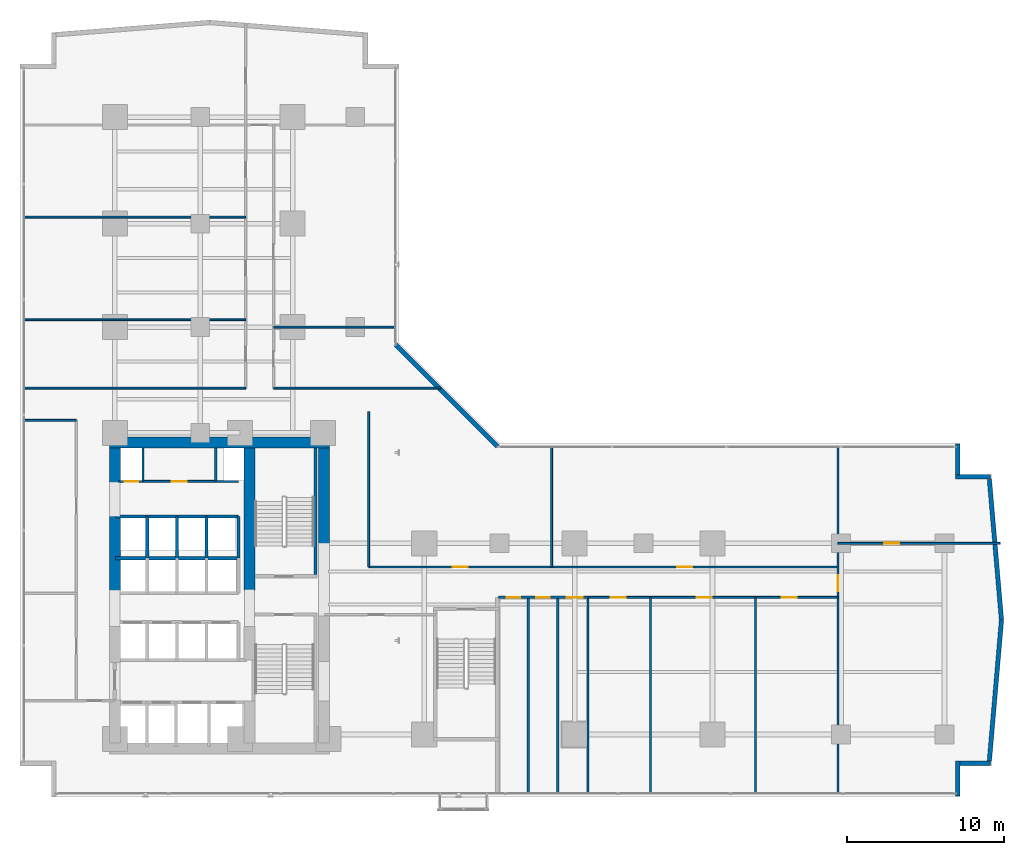
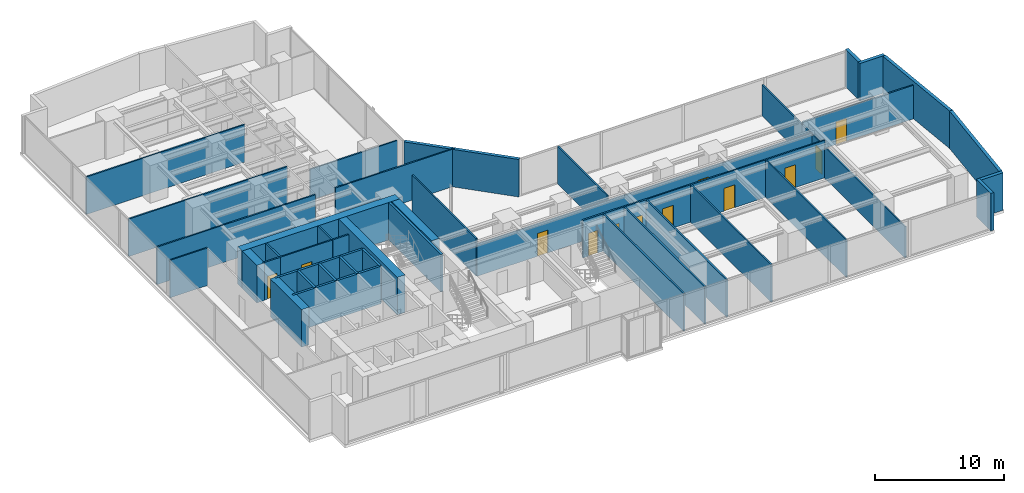
# One storey, part 23 of 27: 42 walls, 12 doors, 12 openings.
"""IFC4 building model written with IfcOpenShell, lengths in metres."""

from ifc_helpers import new_model, si_unit, direction, frame, frame_2d, origin, place, context, subcontext, project, spatial, rectangle, extrude, material, layer, layer_set, type_object, element, fill, save


model = new_model("IFC4")

# Units and contexts
model_context = context("Model", 3, precision=1e-05, world=origin(), true_north=direction((0.0, 1.0)))
body_context = subcontext(model_context, "Body", "Model", "MODEL_VIEW")
ifc_project = project(units=[si_unit("LENGTHUNIT", "METRE"), si_unit("AREAUNIT", "SQUARE_METRE"), si_unit("VOLUMEUNIT", "CUBIC_METRE"), si_unit("PLANEANGLEUNIT", "RADIAN"), si_unit("MASSUNIT", "GRAM", prefix="KILO")], contexts=[model_context])

# Site, building, storey
site_placement = place(None, origin())
site = spatial("IfcSite", under=ifc_project, at=site_placement, CompositionType="ELEMENT")
building_placement = place(site_placement, origin())
building = spatial("IfcBuilding", under=site, at=building_placement, Name="Kolvaren Waterfront Exchange", CompositionType="ELEMENT")
storey_placement = place(building_placement, frame((0.0, 0.0, 63.800048828125)))
storey = spatial("IfcBuildingStorey", under=building, at=storey_placement, Name="L16", CompositionType="ELEMENT", Elevation=63.800048828125)

# Walls
ifc_material_1 = material(Name="Precast concrete C40/50", Category="concrete")
ifc_layer_1 = layer(ifc_material_1, 0.280029296875, Name="Precast concrete C40/50")
ifc_layer_set_1 = layer_set([ifc_layer_1], Name="Precast concrete C40/50")
wall_type_1 = type_object("IfcWallType", Name="ARC-EXT-TERR-280", PredefinedType="SOLIDWALL", material=ifc_layer_set_1)
wall_1_placement = place(storey_placement, frame((61.239990234375, 1.260009765625, 0.0), z_axis=(0.0, 0.0, 1.0), x_axis=(0.0, 1.0, 0.0)))
element("IfcWall", 1, at=wall_1_placement, inside=storey, type_object=wall_type_1, Name="L16 notched corner spandrel pier SE-A", PredefinedType="SOLIDWALL", context=body_context, shape_type="SweptSolid", body=[
    extrude(rectangle(XDim=2.239990234375, YDim=0.280029296875, at=frame_2d((1.1201171875, 0.0))), origin(), (0.0, 0.0, 1.0), 3.5400390625),
])
wall_2_placement = place(storey_placement, frame((61.3798828125, 3.360107421875, 0.0), z_axis=(0.0, 0.0, 1.0), x_axis=(1.0, 0.0, 0.0)))
element("IfcWall", 2, at=wall_2_placement, inside=storey, type_object=wall_type_1, Name="L16 notched corner spandrel pier SE-B", PredefinedType="SOLIDWALL", context=body_context, shape_type="SweptSolid", body=[
    extrude(rectangle(XDim=1.960205078125, YDim=0.280029296875, at=frame_2d((0.97998046875, 0.0))), origin(), (0.0, 0.0, 1.0), 3.5400390625),
])
wall_3_placement = place(storey_placement, frame((61.239990234375, 21.764892578125, 0.0), z_axis=(0.0, 0.0, 1.0), x_axis=(0.0, 1.0, 0.0)))
element("IfcWall", 3, at=wall_3_placement, inside=storey, type_object=wall_type_1, Name="L16 notched corner spandrel pier ENE-A", PredefinedType="SOLIDWALL", context=body_context, shape_type="SweptSolid", body=[
    extrude(rectangle(XDim=1.97509765625, YDim=0.280029296875, at=frame_2d((0.987548828125, 0.0))), origin(), (0.0, 0.0, 1.0), 3.5400390625),
])
wall_4_placement = place(storey_placement, frame((61.10009765625, 21.639892578125, 0.0), z_axis=(0.0, 0.0, 1.0), x_axis=(1.0, 0.0, 0.0)))
element("IfcWall", 4, at=wall_4_placement, inside=storey, type_object=wall_type_1, Name="L16 notched corner spandrel pier ENE-B", PredefinedType="SOLIDWALL", context=body_context, shape_type="SweptSolid", body=[
    extrude(rectangle(XDim=2.239990234375, YDim=0.280029296875, at=frame_2d((1.1201171875, 0.0))), origin(), (0.0, 0.0, 1.0), 3.5400390625),
])
wall_5_placement = place(storey_placement, frame((31.885009765625, 23.574951171875, 0.0), z_axis=(0.0, 0.0, 1.0), x_axis=(-0.707106781187, 0.707106781187, 0.0)))
element("IfcWall", 5, at=wall_5_placement, inside=storey, type_object=wall_type_1, Name="L16 notched corner spandrel pier ELBOW", PredefinedType="SOLIDWALL", context=body_context, shape_type="SweptSolid", body=[
    extrude(rectangle(XDim=9.20654296875, YDim=0.280029296875, at=frame_2d((4.603271484375, 0.0))), origin(), (0.0, 0.0, 1.0), 3.5400390625),
])
for number, where, z_axis, x_axis, name in (
    (6, (63.266357421875, 3.5126953125, 0.0), (0.0, 0.0, 1.0), (0.085692274626, 0.996321651912, 0.0), "L16 east prow faceted facade wall 1"),
    (7, (64.038818359375, 12.506103515625, 0.0), (0.0, 0.0, 1.0), (-0.085692274626, 0.996321651912, 0.0), "L16 east prow faceted facade wall 2"),
):
    element("IfcWall", number, at=place(storey_placement, frame(where, z_axis=z_axis, x_axis=x_axis)), inside=storey, type_object=wall_type_1, Name=name, PredefinedType="SOLIDWALL", context=body_context, shape_type="SweptSolid", body=[
        extrude(rectangle(XDim=9.014404296875, YDim=0.280029296875, at=frame_2d((4.50732421875, 0.0))), origin(), (0.0, 0.0, 1.0), 3.5400390625),
    ])

# Wall, opening, door
ifc_material_2 = material(Name="Acoustic gypsum steel stud", Category="steel")
ifc_layer_2 = layer(ifc_material_2, 0.125, Name="Acoustic gypsum steel stud")
ifc_layer_set_2 = layer_set([ifc_layer_2], Name="Acoustic gypsum steel stud")
wall_type_2 = type_object("IfcWallType", Name="ARC-PART-125", PredefinedType="PARTITIONING", material=ifc_layer_set_2)
wall_6_placement = place(storey_placement, frame((9.25, 21.35009765625, 0.0), z_axis=(0.0, 0.0, 1.0), x_axis=(1.0, 0.0, 0.0)))
wall_6 = element("IfcWall", 8, at=wall_6_placement, inside=storey, type_object=wall_type_2, Name="L16 interior wall PW-L16-SVC-EX-S", PredefinedType="PARTITIONING", context=body_context, shape_type="SweptSolid", body=[
    extrude(rectangle(XDim=4.64990234375, YDim=0.125, at=frame_2d((2.324951171875, 0.0))), origin(), (0.0, 0.0, 1.0), 3.5400390625),
])
opening_1_placement = place(wall_6_placement, frame((1.85009765625, 0.0, 0.0)))
opening_1 = element("IfcOpeningElement", 9, at=opening_1_placement, cuts=wall_6, Name="Opening D02", PredefinedType="OPENING", context=body_context, shape_type="SweptSolid", body=[
    extrude(rectangle(XDim=0.949951171875, YDim=2.14990234375, at=frame_2d((0.47509765625, 1.074951171875))), frame((0.0, 0.072509765625, 0.0), z_axis=(0.0, -1.0, 0.0), x_axis=(1.0, 0.0, 0.0)), (0.0, 0.0, 1.0), 0.14501953125),
])
ifc_material_3 = material(Name="Oak veneer acoustic timber", Category="wood")
door_type_1 = type_object("IfcDoorType", Name="ARC-DR-950", OperationType="NOTDEFINED", PredefinedType="DOOR", material=ifc_material_3)
door_1_placement = place(opening_1_placement, origin())
door_1 = element("IfcDoor", 10, at=door_1_placement, inside=storey, type_object=door_type_1, Name="L16 door DR-L16-SVC-DR-1 (D02)", OperationType="SINGLE_SWING_LEFT", OverallHeight=2.14990234375, OverallWidth=0.949951171875, PredefinedType="DOOR", context=body_context, shape_type="SweptSolid", body=[
    extrude(rectangle(XDim=0.949951171875, YDim=2.14990234375, at=frame_2d((0.47509765625, 1.074951171875))), frame((0.0, 0.02490234375, 0.0), z_axis=(0.0, -1.0, 0.0), x_axis=(1.0, 0.0, 0.0)), (0.0, 0.0, 1.0), 0.050048828125),
])
fill(opening_1, door_1)

# Wall
wall_7_placement = place(storey_placement, frame((1.639892578125, 25.25, 0.0), z_axis=(0.0, 0.0, 1.0), x_axis=(1.0, 0.0, 0.0)))
element("IfcWall", 11, at=wall_7_placement, inside=storey, type_object=wall_type_2, Name="L16 interior wall PW-L16-WFLANK-N", PredefinedType="PARTITIONING", context=body_context, shape_type="SweptSolid", body=[
    extrude(rectangle(XDim=3.360107421875, YDim=0.125, at=frame_2d((1.68017578125, 0.0))), origin(), (0.0, 0.0, 1.0), 3.5400390625),
])

# Wall, openings, doors
wall_8_placement = place(storey_placement, frame((37.64990234375, 13.949951171875, 0.0), z_axis=(0.0, 0.0, 1.0), x_axis=(1.0, 0.0, 0.0)))
wall_8 = element("IfcWall", 12, at=wall_8_placement, inside=storey, type_object=wall_type_2, Name="L16 interior wall PW-L16-ES-CORR", PredefinedType="PARTITIONING", context=body_context, shape_type="SweptSolid", body=[
    extrude(rectangle(XDim=15.9501953125, YDim=0.125, at=frame_2d((7.97509765625, 0.0))), origin(), (0.0, 0.0, 1.0), 3.5400390625),
])
opening_2_placement = place(wall_8_placement, frame((1.4453125, 0.0, 0.0)))
opening_2 = element("IfcOpeningElement", 13, at=opening_2_placement, cuts=wall_8, Name="Opening D02", PredefinedType="OPENING", context=body_context, shape_type="SweptSolid", body=[
    extrude(rectangle(XDim=0.949951171875, YDim=2.14990234375, at=frame_2d((0.47509765625, 1.074951171875))), frame((0.0, 0.072509765625, 0.0), z_axis=(0.0, -1.0, 0.0), x_axis=(1.0, 0.0, 0.0)), (0.0, 0.0, 1.0), 0.14501953125),
])
opening_3_placement = place(wall_8_placement, frame((6.935791015625, 0.0, 0.0)))
opening_3 = element("IfcOpeningElement", 14, at=opening_3_placement, cuts=wall_8, Name="Opening D02", PredefinedType="OPENING", context=body_context, shape_type="SweptSolid", body=[
    extrude(rectangle(XDim=0.949951171875, YDim=2.14990234375, at=frame_2d((0.47509765625, 1.074951171875))), frame((0.0, 0.072509765625, 0.0), z_axis=(0.0, -1.0, 0.0), x_axis=(1.0, 0.0, 0.0)), (0.0, 0.0, 1.0), 0.14501953125),
])
opening_4_placement = place(wall_8_placement, frame((12.3701171875, 0.0, 0.0)))
opening_4 = element("IfcOpeningElement", 15, at=opening_4_placement, cuts=wall_8, Name="Opening D02", PredefinedType="OPENING", context=body_context, shape_type="SweptSolid", body=[
    extrude(rectangle(XDim=0.949951171875, YDim=2.14990234375, at=frame_2d((0.47509765625, 1.074951171875))), frame((0.0, 0.072509765625, 0.0), z_axis=(0.0, -1.0, 0.0), x_axis=(1.0, 0.0, 0.0)), (0.0, 0.0, 1.0), 0.14501953125),
])
door_2_placement = place(opening_2_placement, origin())
door_2 = element("IfcDoor", 16, at=door_2_placement, inside=storey, type_object=door_type_1, Name="L16 door DR-L16-ES-D-1 (D02)", OperationType="SINGLE_SWING_LEFT", OverallHeight=2.14990234375, OverallWidth=0.949951171875, PredefinedType="DOOR", context=body_context, shape_type="SweptSolid", body=[
    extrude(rectangle(XDim=0.949951171875, YDim=2.14990234375, at=frame_2d((0.47509765625, 1.074951171875))), frame((0.0, 0.02490234375, 0.0), z_axis=(0.0, -1.0, 0.0), x_axis=(1.0, 0.0, 0.0)), (0.0, 0.0, 1.0), 0.050048828125),
])
fill(opening_2, door_2)
door_3_placement = place(opening_3_placement, origin())
door_3 = element("IfcDoor", 17, at=door_3_placement, inside=storey, type_object=door_type_1, Name="L16 door DR-L16-ES-D-2 (D02)", OperationType="SINGLE_SWING_RIGHT", OverallHeight=2.14990234375, OverallWidth=0.949951171875, PredefinedType="DOOR", context=body_context, shape_type="SweptSolid", body=[
    extrude(rectangle(XDim=0.949951171875, YDim=2.14990234375, at=frame_2d((0.47509765625, 1.074951171875))), frame((0.0, 0.02490234375, 0.0), z_axis=(0.0, -1.0, 0.0), x_axis=(1.0, 0.0, 0.0)), (0.0, 0.0, 1.0), 0.050048828125),
])
fill(opening_3, door_3)
door_4_placement = place(opening_4_placement, origin())
door_4 = element("IfcDoor", 18, at=door_4_placement, inside=storey, type_object=door_type_1, Name="L16 door DR-L16-ES-D-3 (D02)", OperationType="SINGLE_SWING_LEFT", OverallHeight=2.14990234375, OverallWidth=0.949951171875, PredefinedType="DOOR", context=body_context, shape_type="SweptSolid", body=[
    extrude(rectangle(XDim=0.949951171875, YDim=2.14990234375, at=frame_2d((0.47509765625, 1.074951171875))), frame((0.0, 0.02490234375, 0.0), z_axis=(0.0, -1.0, 0.0), x_axis=(1.0, 0.0, 0.0)), (0.0, 0.0, 1.0), 0.050048828125),
])
fill(opening_4, door_4)

# Walls
for number, where, z_axis, x_axis, name in (
    (19, (41.639892578125, 1.43994140625, 0.0), (0.0, 0.0, 1.0), (0.0, 1.0, 0.0), "L16 interior wall PW-L16-ES-DIV-1"),
    (20, (48.340087890625, 1.43994140625, 0.0), (0.0, 0.0, 1.0), (0.0, 1.0, 0.0), "L16 interior wall PW-L16-ES-DIV-2"),
):
    element("IfcWall", number, at=place(storey_placement, frame(where, z_axis=z_axis, x_axis=x_axis)), inside=storey, type_object=wall_type_2, Name=name, PredefinedType="PARTITIONING", context=body_context, shape_type="SweptSolid", body=[
        extrude(rectangle(XDim=12.510009765625, YDim=0.125, at=frame_2d((6.2548828125, 0.0))), origin(), (0.0, 0.0, 1.0), 3.5400390625),
    ])

# Wall, opening, door
wall_9_placement = place(storey_placement, frame((53.60009765625, 1.43994140625, 0.0), z_axis=(0.0, 0.0, 1.0), x_axis=(0.0, 1.0, 0.0)))
wall_9 = element("IfcWall", 21, at=wall_9_placement, inside=storey, type_object=wall_type_2, Name="L16 interior wall PW-L16-ETIP-W", PredefinedType="PARTITIONING", context=body_context, shape_type="SweptSolid", body=[
    extrude(rectangle(XDim=22.1201171875, YDim=0.125, at=frame_2d((11.06005859375, 0.0))), origin(), (0.0, 0.0, 1.0), 2.93994140625),
])
opening_5_placement = place(wall_9_placement, frame((12.909912109375, 0.0, 0.0)))
opening_5 = element("IfcOpeningElement", 22, at=opening_5_placement, cuts=wall_9, Name="Opening D03", PredefinedType="OPENING", context=body_context, shape_type="SweptSolid", body=[
    extrude(rectangle(XDim=1.0, YDim=2.199951171875, at=frame_2d((0.5, 1.10009765625))), frame((0.0, 0.072509765625, 0.0), z_axis=(0.0, -1.0, 0.0), x_axis=(1.0, 0.0, 0.0)), (0.0, 0.0, 1.0), 0.14501953125),
])
ifc_material_4 = material(Name="Oak veneer accessible timber", Category="wood")
door_type_2 = type_object("IfcDoorType", Name="ARC-DR-1000", OperationType="NOTDEFINED", PredefinedType="DOOR", material=ifc_material_4)
door_5_placement = place(opening_5_placement, origin())
door_5 = element("IfcDoor", 23, at=door_5_placement, inside=storey, type_object=door_type_2, Name="L16 door DR-L16-ETIP1-D (D03)", OperationType="SINGLE_SWING_RIGHT", OverallHeight=2.199951171875, OverallWidth=1.0, PredefinedType="DOOR", context=body_context, shape_type="SweptSolid", body=[
    extrude(rectangle(XDim=1.0, YDim=2.199951171875, at=frame_2d((0.5, 1.10009765625))), frame((0.0, 0.02490234375, 0.0), z_axis=(0.0, -1.0, 0.0), x_axis=(1.0, 0.0, 0.0)), (0.0, 0.0, 1.0), 0.050048828125),
])
fill(opening_5, door_5)

wall_10_placement = place(storey_placement, frame((53.60009765625, 17.39990234375, 0.0), z_axis=(0.0, 0.0, 1.0), x_axis=(1.0, 0.0, 0.0)))
wall_10 = element("IfcWall", 24, at=wall_10_placement, inside=storey, type_object=wall_type_2, Name="L16 interior wall PW-L16-ETIP-MID", PredefinedType="PARTITIONING", context=body_context, shape_type="SweptSolid", body=[
    extrude(rectangle(XDim=10.35986328125, YDim=0.125, at=frame_2d((5.179931640625, 0.0))), origin(), (0.0, 0.0, 1.0), 3.179931640625),
])
opening_6_placement = place(wall_10_placement, frame((2.949951171875, 0.0, 0.0)))
opening_6 = element("IfcOpeningElement", 25, at=opening_6_placement, cuts=wall_10, Name="Opening D02", PredefinedType="OPENING", context=body_context, shape_type="SweptSolid", body=[
    extrude(rectangle(XDim=0.949951171875, YDim=2.14990234375, at=frame_2d((0.47509765625, 1.074951171875))), frame((0.0, 0.072509765625, 0.0), z_axis=(0.0, -1.0, 0.0), x_axis=(1.0, 0.0, 0.0)), (0.0, 0.0, 1.0), 0.14501953125),
])
door_6_placement = place(opening_6_placement, origin())
door_6 = element("IfcDoor", 26, at=door_6_placement, inside=storey, type_object=door_type_1, Name="L16 door DR-L16-ETIP2-D (D02)", OperationType="SINGLE_SWING_LEFT", OverallHeight=2.14990234375, OverallWidth=0.949951171875, PredefinedType="DOOR", context=body_context, shape_type="SweptSolid", body=[
    extrude(rectangle(XDim=0.949951171875, YDim=2.14990234375, at=frame_2d((0.47509765625, 1.074951171875))), frame((0.0, 0.02490234375, 0.0), z_axis=(0.0, -1.0, 0.0), x_axis=(1.0, 0.0, 0.0)), (0.0, 0.0, 1.0), 0.050048828125),
])
fill(opening_6, door_6)

# Wall
wall_11_placement = place(storey_placement, frame((23.64990234375, 15.889892578125, 0.0), z_axis=(0.0, 0.0, 1.0), x_axis=(0.0, 1.0, 0.0)))
element("IfcWall", 27, at=wall_11_placement, inside=storey, type_object=wall_type_2, Name="L16 interior wall PW-L16-EN-W0", PredefinedType="PARTITIONING", context=body_context, shape_type="SweptSolid", body=[
    extrude(rectangle(XDim=9.91015625, YDim=0.125, at=frame_2d((4.955078125, 0.0))), origin(), (0.0, 0.0, 1.0), 3.5400390625),
])

# Wall, openings, doors
wall_12_placement = place(storey_placement, frame((23.64990234375, 15.889892578125, 0.0), z_axis=(0.0, 0.0, 1.0), x_axis=(1.0, 0.0, 0.0)))
wall_12 = element("IfcWall", 28, at=wall_12_placement, inside=storey, type_object=wall_type_2, Name="L16 interior wall PW-L16-EN-CORR", PredefinedType="PARTITIONING", context=body_context, shape_type="SweptSolid", body=[
    extrude(rectangle(XDim=29.9501953125, YDim=0.125, at=frame_2d((14.97509765625, 0.0))), origin(), (0.0, 0.0, 1.0), 3.0400390625),
])
opening_7_placement = place(wall_12_placement, frame((5.364990234375, 0.0, 0.0)))
opening_7 = element("IfcOpeningElement", 29, at=opening_7_placement, cuts=wall_12, Name="Opening D02", PredefinedType="OPENING", context=body_context, shape_type="SweptSolid", body=[
    extrude(rectangle(XDim=0.949951171875, YDim=2.14990234375, at=frame_2d((0.47509765625, 1.074951171875))), frame((0.0, 0.072509765625, 0.0), z_axis=(0.0, -1.0, 0.0), x_axis=(1.0, 0.0, 0.0)), (0.0, 0.0, 1.0), 0.14501953125),
])
opening_8_placement = place(wall_12_placement, frame((19.70458984375, 0.0, 0.0)))
opening_8 = element("IfcOpeningElement", 30, at=opening_8_placement, cuts=wall_12, Name="Opening D02", PredefinedType="OPENING", context=body_context, shape_type="SweptSolid", body=[
    extrude(rectangle(XDim=0.949951171875, YDim=2.14990234375, at=frame_2d((0.47509765625, 1.074951171875))), frame((0.0, 0.072509765625, 0.0), z_axis=(0.0, -1.0, 0.0), x_axis=(1.0, 0.0, 0.0)), (0.0, 0.0, 1.0), 0.14501953125),
])
door_7_placement = place(opening_7_placement, origin())
door_7 = element("IfcDoor", 31, at=door_7_placement, inside=storey, type_object=door_type_1, Name="L16 door DR-L16-EN-D-1 (D02)", OperationType="SINGLE_SWING_RIGHT", OverallHeight=2.14990234375, OverallWidth=0.949951171875, PredefinedType="DOOR", context=body_context, shape_type="SweptSolid", body=[
    extrude(rectangle(XDim=0.949951171875, YDim=2.14990234375, at=frame_2d((0.47509765625, 1.074951171875))), frame((0.0, 0.02490234375, 0.0), z_axis=(0.0, -1.0, 0.0), x_axis=(1.0, 0.0, 0.0)), (0.0, 0.0, 1.0), 0.050048828125),
])
fill(opening_7, door_7)
door_8_placement = place(opening_8_placement, origin())
door_8 = element("IfcDoor", 32, at=door_8_placement, inside=storey, type_object=door_type_1, Name="L16 door DR-L16-EN-D-2 (D02)", OperationType="SINGLE_SWING_LEFT", OverallHeight=2.14990234375, OverallWidth=0.949951171875, PredefinedType="DOOR", context=body_context, shape_type="SweptSolid", body=[
    extrude(rectangle(XDim=0.949951171875, YDim=2.14990234375, at=frame_2d((0.47509765625, 1.074951171875))), frame((0.0, 0.02490234375, 0.0), z_axis=(0.0, -1.0, 0.0), x_axis=(1.0, 0.0, 0.0)), (0.0, 0.0, 1.0), 0.050048828125),
])
fill(opening_8, door_8)

# Walls
wall_13_placement = place(storey_placement, frame((35.330078125, 15.889892578125, 0.0), z_axis=(0.0, 0.0, 1.0), x_axis=(0.0, 1.0, 0.0)))
element("IfcWall", 33, at=wall_13_placement, inside=storey, type_object=wall_type_2, Name="L16 interior wall PW-L16-EN-DIV-1", PredefinedType="PARTITIONING", context=body_context, shape_type="SweptSolid", body=[
    extrude(rectangle(XDim=7.670166015625, YDim=0.125, at=frame_2d((3.8349609375, 0.0))), origin(), (0.0, 0.0, 1.0), 3.5400390625),
])
for number, where, z_axis, x_axis, name in (
    (34, (1.639892578125, 27.300048828125, 0.0), (0.0, 0.0, 1.0), (1.0, 0.0, 0.0), "L16 interior wall PW-L16-NW-S0"),
    (35, (1.639892578125, 31.669921875, 0.0), (0.0, 0.0, 1.0), (1.0, 0.0, 0.0), "L16 interior wall PW-L16-NW-DIV-1"),
    (36, (1.639892578125, 38.219970703125, 0.0), (0.0, 0.0, 1.0), (1.0, 0.0, 0.0), "L16 interior wall PW-L16-NW-DIV-2"),
):
    element("IfcWall", number, at=place(storey_placement, frame(where, z_axis=z_axis, x_axis=x_axis)), inside=storey, type_object=wall_type_2, Name=name, PredefinedType="PARTITIONING", context=body_context, shape_type="SweptSolid", body=[
        extrude(rectangle(XDim=14.16015625, YDim=0.125, at=frame_2d((7.080078125, 0.0))), origin(), (0.0, 0.0, 1.0), 3.5400390625),
    ])
wall_14_placement = place(storey_placement, frame((17.580078125, 27.300048828125, 0.0), z_axis=(0.0, 0.0, 1.0), x_axis=(1.0, 0.0, 0.0)))
element("IfcWall", 37, at=wall_14_placement, inside=storey, type_object=wall_type_2, Name="L16 interior wall PW-L16-NE-S0", PredefinedType="PARTITIONING", context=body_context, shape_type="SweptSolid", body=[
    extrude(rectangle(XDim=10.679931640625, YDim=0.125, at=frame_2d((5.33984375, 0.0))), origin(), (0.0, 0.0, 1.0), 3.5400390625),
])
wall_15_placement = place(storey_placement, frame((17.580078125, 31.199951171875, 0.0), z_axis=(0.0, 0.0, 1.0), x_axis=(1.0, 0.0, 0.0)))
element("IfcWall", 38, at=wall_15_placement, inside=storey, type_object=wall_type_2, Name="L16 interior wall PW-L16-NE-DIV-1", PredefinedType="PARTITIONING", context=body_context, shape_type="SweptSolid", body=[
    extrude(rectangle(XDim=7.780029296875, YDim=0.125, at=frame_2d((3.89013671875, 0.0))), origin(), (0.0, 0.0, 1.0), 2.93994140625),
])
ifc_material_5 = material(Name="Gypsum fireboard steel stud", Category="steel")
ifc_layer_3 = layer(ifc_material_5, 0.14990234375, Name="Gypsum fireboard steel stud")
ifc_layer_set_3 = layer_set([ifc_layer_3], Name="Gypsum fireboard steel stud")
wall_type_3 = type_object("IfcWallType", Name="ARC-PART-150", PredefinedType="PARTITIONING", material=ifc_layer_set_3)
for number, where, z_axis, x_axis, name in (
    (39, (9.25, 21.35009765625, 0.0), (0.0, 0.0, 1.0), (0.0, 1.0, 0.0), "L16 interior wall PW-L16-SVC-R1"),
    (40, (13.89990234375, 21.35009765625, 0.0), (0.0, 0.0, 1.0), (0.0, 1.0, 0.0), "L16 interior wall PW-L16-SVC-R2"),
):
    element("IfcWall", number, at=place(storey_placement, frame(where, z_axis=z_axis, x_axis=x_axis)), inside=storey, type_object=wall_type_3, Name=name, PredefinedType="PARTITIONING", context=body_context, shape_type="SweptSolid", body=[
        extrude(rectangle(XDim=2.1298828125, YDim=0.14990234375, at=frame_2d((1.06494140625, 0.0))), origin(), (0.0, 0.0, 1.0), 3.5400390625),
    ])

# Wall, opening, door
wall_16_placement = place(storey_placement, frame((7.699951171875, 21.35009765625, 0.0), z_axis=(0.0, 0.0, 1.0), x_axis=(1.0, 0.0, 0.0)))
wall_16 = element("IfcWall", 41, at=wall_16_placement, inside=storey, type_object=wall_type_3, Name="L16 interior wall PW-L16-SVC-RE-S", PredefinedType="PARTITIONING", context=body_context, shape_type="SweptSolid", body=[
    extrude(rectangle(XDim=1.550048828125, YDim=0.14990234375, at=frame_2d((0.77490234375, 0.0))), origin(), (0.0, 0.0, 1.0), 3.5400390625),
])
opening_9_placement = place(wall_16_placement, frame((0.389892578125, 0.0, 0.0)))
opening_9 = element("IfcOpeningElement", 42, at=opening_9_placement, cuts=wall_16, Name="Opening FD1", PredefinedType="OPENING", context=body_context, shape_type="SweptSolid", body=[
    extrude(rectangle(XDim=0.85009765625, YDim=2.14990234375, at=frame_2d((0.425048828125, 1.074951171875))), frame((0.0, 0.0849609375, 0.0), z_axis=(0.0, -1.0, 0.0), x_axis=(1.0, 0.0, 0.0)), (0.0, 0.0, 1.0), 0.169921875),
])
ifc_material_6 = material(Name="Pressed steel fire leaf", Category="steel")
door_type_3 = type_object("IfcDoorType", Name="ARC-FD-900", OperationType="NOTDEFINED", PredefinedType="DOOR", material=ifc_material_6)
door_9_placement = place(opening_9_placement, origin())
door_9 = element("IfcDoor", 43, at=door_9_placement, inside=storey, type_object=door_type_3, Name="L16 door DR-L16-RISER-E-DR (FD1)", OperationType="SINGLE_SWING_RIGHT", OverallHeight=2.14990234375, OverallWidth=0.85009765625, PredefinedType="DOOR", context=body_context, shape_type="SweptSolid", body=[
    extrude(rectangle(XDim=0.85009765625, YDim=2.14990234375, at=frame_2d((0.425048828125, 1.074951171875))), frame((0.0, 0.02490234375, 0.0), z_axis=(0.0, -1.0, 0.0), x_axis=(1.0, 0.0, 0.0)), (0.0, 0.0, 1.0), 0.050048828125),
])
fill(opening_9, door_9)

# Wall
wall_17_placement = place(storey_placement, frame((13.89990234375, 21.35009765625, 0.0), z_axis=(0.0, 0.0, 1.0), x_axis=(1.0, 0.0, 0.0)))
element("IfcWall", 44, at=wall_17_placement, inside=storey, type_object=wall_type_3, Name="L16 interior wall PW-L16-SVC-RP-S", PredefinedType="PARTITIONING", context=body_context, shape_type="SweptSolid", body=[
    extrude(rectangle(XDim=1.4501953125, YDim=0.14990234375, at=frame_2d((0.72509765625, 0.0))), origin(), (0.0, 0.0, 1.0), 3.5400390625),
])

# Wall, openings, doors
ifc_material_7 = material(Name="Moisture-resistant gypsum stud")
ifc_layer_4 = layer(ifc_material_7, 0.14990234375, Name="Moisture-resistant gypsum stud")
ifc_layer_set_4 = layer_set([ifc_layer_4], Name="Moisture-resistant gypsum stud")
wall_type_4 = type_object("IfcWallType", Name="ARC-PLUMB-150", PredefinedType="PLUMBINGWALL", material=ifc_layer_set_4)
wall_18_placement = place(storey_placement, frame((31.949951171875, 13.949951171875, 0.0), z_axis=(0.0, 0.0, 1.0), x_axis=(1.0, 0.0, 0.0)))
wall_18 = element("IfcWall", 45, at=wall_18_placement, inside=storey, type_object=wall_type_4, Name="L16 interior wall PW-L16-WC-N", PredefinedType="PLUMBINGWALL", context=body_context, shape_type="SweptSolid", body=[
    extrude(rectangle(XDim=5.699951171875, YDim=0.14990234375, at=frame_2d((2.85009765625, 0.0))), origin(), (0.0, 0.0, 1.0), 3.5400390625),
])
opening_10_placement = place(wall_18_placement, frame((0.514892578125, 0.0, 0.0)))
opening_10 = element("IfcOpeningElement", 46, at=opening_10_placement, cuts=wall_18, Name="Opening D01", PredefinedType="OPENING", context=body_context, shape_type="SweptSolid", body=[
    extrude(rectangle(XDim=0.85009765625, YDim=2.14990234375, at=frame_2d((0.425048828125, 1.074951171875))), frame((0.0, 0.0849609375, 0.0), z_axis=(0.0, -1.0, 0.0), x_axis=(1.0, 0.0, 0.0)), (0.0, 0.0, 1.0), 0.169921875),
])
opening_11_placement = place(wall_18_placement, frame((2.39501953125, 0.0, 0.0)))
opening_11 = element("IfcOpeningElement", 47, at=opening_11_placement, cuts=wall_18, Name="Opening D01", PredefinedType="OPENING", context=body_context, shape_type="SweptSolid", body=[
    extrude(rectangle(XDim=0.85009765625, YDim=2.14990234375, at=frame_2d((0.425048828125, 1.074951171875))), frame((0.0, 0.0849609375, 0.0), z_axis=(0.0, -1.0, 0.0), x_axis=(1.0, 0.0, 0.0)), (0.0, 0.0, 1.0), 0.169921875),
])
opening_12_placement = place(wall_18_placement, frame((4.35009765625, 0.0, 0.0)))
opening_12 = element("IfcOpeningElement", 48, at=opening_12_placement, cuts=wall_18, Name="Opening D03", PredefinedType="OPENING", context=body_context, shape_type="SweptSolid", body=[
    extrude(rectangle(XDim=1.0, YDim=2.199951171875, at=frame_2d((0.5, 1.10009765625))), frame((0.0, 0.0849609375, 0.0), z_axis=(0.0, -1.0, 0.0), x_axis=(1.0, 0.0, 0.0)), (0.0, 0.0, 1.0), 0.169921875),
])
door_10_placement = place(opening_12_placement, origin())
door_10 = element("IfcDoor", 49, at=door_10_placement, inside=storey, type_object=door_type_2, Name="L16 door DR-L16-WCA-D (D03)", OperationType="SINGLE_SWING_RIGHT", OverallHeight=2.199951171875, OverallWidth=1.0, PredefinedType="DOOR", context=body_context, shape_type="SweptSolid", body=[
    extrude(rectangle(XDim=1.0, YDim=2.199951171875, at=frame_2d((0.5, 1.10009765625))), frame((0.0, 0.02490234375, 0.0), z_axis=(0.0, -1.0, 0.0), x_axis=(1.0, 0.0, 0.0)), (0.0, 0.0, 1.0), 0.050048828125),
])
fill(opening_12, door_10)
ifc_material_8 = material(Name="Oak veneer timber leaf", Category="wood")
door_type_4 = type_object("IfcDoorType", Name="ARC-DR-900", OperationType="NOTDEFINED", PredefinedType="DOOR", material=ifc_material_8)
door_11_placement = place(opening_10_placement, origin())
door_11 = element("IfcDoor", 50, at=door_11_placement, inside=storey, type_object=door_type_4, Name="L16 door DR-L16-WCM-D (D01)", OperationType="SINGLE_SWING_RIGHT", OverallHeight=2.14990234375, OverallWidth=0.85009765625, PredefinedType="DOOR", context=body_context, shape_type="SweptSolid", body=[
    extrude(rectangle(XDim=0.85009765625, YDim=2.14990234375, at=frame_2d((0.425048828125, 1.074951171875))), frame((0.0, 0.02490234375, 0.0), z_axis=(0.0, -1.0, 0.0), x_axis=(1.0, 0.0, 0.0)), (0.0, 0.0, 1.0), 0.050048828125),
])
fill(opening_10, door_11)
door_12_placement = place(opening_11_placement, origin())
door_12 = element("IfcDoor", 51, at=door_12_placement, inside=storey, type_object=door_type_4, Name="L16 door DR-L16-WCF-D (D01)", OperationType="SINGLE_SWING_LEFT", OverallHeight=2.14990234375, OverallWidth=0.85009765625, PredefinedType="DOOR", context=body_context, shape_type="SweptSolid", body=[
    extrude(rectangle(XDim=0.85009765625, YDim=2.14990234375, at=frame_2d((0.425048828125, 1.074951171875))), frame((0.0, 0.02490234375, 0.0), z_axis=(0.0, -1.0, 0.0), x_axis=(1.0, 0.0, 0.0)), (0.0, 0.0, 1.0), 0.050048828125),
])
fill(opening_11, door_12)

# Walls
for number, where, z_axis, x_axis, name in (
    (52, (33.830078125, 1.43994140625, 0.0), (0.0, 0.0, 1.0), (0.0, 1.0, 0.0), "L16 interior wall PW-L16-WC-1"),
    (53, (35.7099609375, 1.43994140625, 0.0), (0.0, 0.0, 1.0), (0.0, 1.0, 0.0), "L16 interior wall PW-L16-WC-2"),
    (54, (37.64990234375, 1.43994140625, 0.0), (0.0, 0.0, 1.0), (0.0, 1.0, 0.0), "L16 interior wall PW-L16-WC-3"),
):
    element("IfcWall", number, at=place(storey_placement, frame(where, z_axis=z_axis, x_axis=x_axis)), inside=storey, type_object=wall_type_4, Name=name, PredefinedType="PLUMBINGWALL", context=body_context, shape_type="SweptSolid", body=[
        extrude(rectangle(XDim=12.510009765625, YDim=0.14990234375, at=frame_2d((6.2548828125, 0.0))), origin(), (0.0, 0.0, 1.0), 3.5400390625),
    ])
ifc_material_9 = material(Name="Concrete C40/50", Category="concrete")
ifc_layer_5 = layer(ifc_material_9, 0.199951171875, Name="Concrete C40/50")
ifc_layer_set_5 = layer_set([ifc_layer_5], Name="Concrete C40/50")
wall_type_5 = type_object("IfcWallType", Name="ARC-SHAFT-200", PredefinedType="PARTITIONING", material=ifc_layer_set_5)
wall_19_placement = place(storey_placement, frame((20.260009765625, 15.39990234375, 0.0), z_axis=(0.0, 0.0, 1.0), x_axis=(0.0, 1.0, 0.0)))
element("IfcWall", 55, at=wall_19_placement, inside=storey, type_object=wall_type_5, Name="L16 structural stairwell wall PW-L16-ST2-E", PredefinedType="SHEAR", context=body_context, shape_type="SweptSolid", body=[
    extrude(rectangle(XDim=8.090087890625, YDim=0.199951171875, at=frame_2d((4.044921875, 0.0))), origin(), (0.0, 0.0, 1.0), 3.5400390625),
])
for number, where, z_axis, x_axis, name in (
    (56, (7.5, 16.449951171875, 0.0), (0.0, 0.0, 1.0), (1.0, 0.0, 0.0), "L16 interior wall PW-L16-PM-N"),
    (57, (7.5, 19.1201171875, 0.0), (0.0, 0.0, 1.0), (1.0, 0.0, 0.0), "L16 interior wall PW-L16-PH-N"),
):
    element("IfcWall", number, at=place(storey_placement, frame(where, z_axis=z_axis, x_axis=x_axis)), inside=storey, type_object=wall_type_5, Name=name, PredefinedType="PARTITIONING", context=body_context, shape_type="SweptSolid", body=[
        extrude(rectangle(XDim=7.85009765625, YDim=0.199951171875, at=frame_2d((3.925048828125, 0.0))), origin(), (0.0, 0.0, 1.0), 3.5400390625),
    ])
for number, where, z_axis, x_axis, name in (
    (58, (15.35009765625, 16.449951171875, 0.0), (0.0, 0.0, 1.0), (0.0, 1.0, 0.0), "L16 interior wall PW-L16-PH-E"),
    (59, (9.52001953125, 16.449951171875, 0.0), (0.0, 0.0, 1.0), (0.0, 1.0, 0.0), "L16 interior wall PW-L16-SH4-DIV-95"),
    (60, (11.409912109375, 16.449951171875, 0.0), (0.0, 0.0, 1.0), (0.0, 1.0, 0.0), "L16 interior wall PW-L16-SH4-DIV-114"),
    (61, (13.300048828125, 16.449951171875, 0.0), (0.0, 0.0, 1.0), (0.0, 1.0, 0.0), "L16 interior wall PW-L16-SH4-DIV-133"),
):
    element("IfcWall", number, at=place(storey_placement, frame(where, z_axis=z_axis, x_axis=x_axis)), inside=storey, type_object=wall_type_5, Name=name, PredefinedType="PARTITIONING", context=body_context, shape_type="SweptSolid", body=[
        extrude(rectangle(XDim=2.670166015625, YDim=0.199951171875, at=frame_2d((1.3349609375, 0.0))), origin(), (0.0, 0.0, 1.0), 3.5400390625),
    ])
ifc_material_10 = material(Name="Concrete C70/85", Category="concrete")
ifc_layer_6 = layer(ifc_material_10, 0.699951171875, Name="Concrete C70/85")
ifc_layer_set_6 = layer_set([ifc_layer_6], Name="Concrete C70/85")
wall_type_6 = type_object("IfcWallType", Name="STR-CWALL-700", PredefinedType="SHEAR", material=ifc_layer_set_6)
wall_20_placement = place(storey_placement, frame((7.10009765625, 23.85009765625, 0.0), z_axis=(0.0, 0.0, 1.0), x_axis=(1.0, 0.0, 0.0)))
element("IfcWall", 62, at=wall_20_placement, inside=storey, type_object=wall_type_6, Name="L16 rear-core shear wall N", PredefinedType="SHEAR", context=body_context, shape_type="SweptSolid", body=[
    extrude(rectangle(XDim=14.0498046875, YDim=0.699951171875, at=frame_2d((7.02490234375, 0.0))), origin(), (0.0, 0.0, 1.0), 3.5400390625),
])
wall_21_placement = place(storey_placement, frame((7.449951171875, 14.35009765625, 0.0), z_axis=(0.0, 0.0, 1.0), x_axis=(0.0, 1.0, 0.0)))
element("IfcWall", 63, at=wall_21_placement, inside=storey, type_object=wall_type_6, Name="L16 rear-core shear wall W2B", PredefinedType="SHEAR", context=body_context, shape_type="SweptSolid", body=[
    extrude(rectangle(XDim=4.809814453125, YDim=0.699951171875, at=frame_2d((2.40478515625, 0.0))), origin(), (0.0, 0.0, 1.0), 3.5400390625),
])
wall_22_placement = place(storey_placement, frame((7.449951171875, 21.239990234375, 0.0), z_axis=(0.0, 0.0, 1.0), x_axis=(0.0, 1.0, 0.0)))
element("IfcWall", 64, at=wall_22_placement, inside=storey, type_object=wall_type_6, Name="L16 rear-core shear wall W3", PredefinedType="SHEAR", context=body_context, shape_type="SweptSolid", body=[
    extrude(rectangle(XDim=2.260009765625, YDim=0.699951171875, at=frame_2d((1.1298828125, 0.0))), origin(), (0.0, 0.0, 1.0), 3.5400390625),
])
wall_23_placement = place(storey_placement, frame((20.800048828125, 17.35009765625, 0.0), z_axis=(0.0, 0.0, 1.0), x_axis=(0.0, 1.0, 0.0)))
element("IfcWall", 65, at=wall_23_placement, inside=storey, type_object=wall_type_6, Name="L16 rear-core shear wall E3", PredefinedType="SHEAR", context=body_context, shape_type="SweptSolid", body=[
    extrude(rectangle(XDim=6.14990234375, YDim=0.699951171875, at=frame_2d((3.074951171875, 0.0))), origin(), (0.0, 0.0, 1.0), 3.5400390625),
])
wall_24_placement = place(storey_placement, frame((16.050048828125, 14.39990234375, 0.0), z_axis=(0.0, 0.0, 1.0), x_axis=(0.0, 1.0, 0.0)))
element("IfcWall", 66, at=wall_24_placement, inside=storey, type_object=wall_type_6, Name="L16 rear-core shear wall M3", PredefinedType="SHEAR", context=body_context, shape_type="SweptSolid", body=[
    extrude(rectangle(XDim=9.10009765625, YDim=0.699951171875, at=frame_2d((4.550048828125, 0.0))), origin(), (0.0, 0.0, 1.0), 3.5400390625),
])

save(model, "model.ifc")
